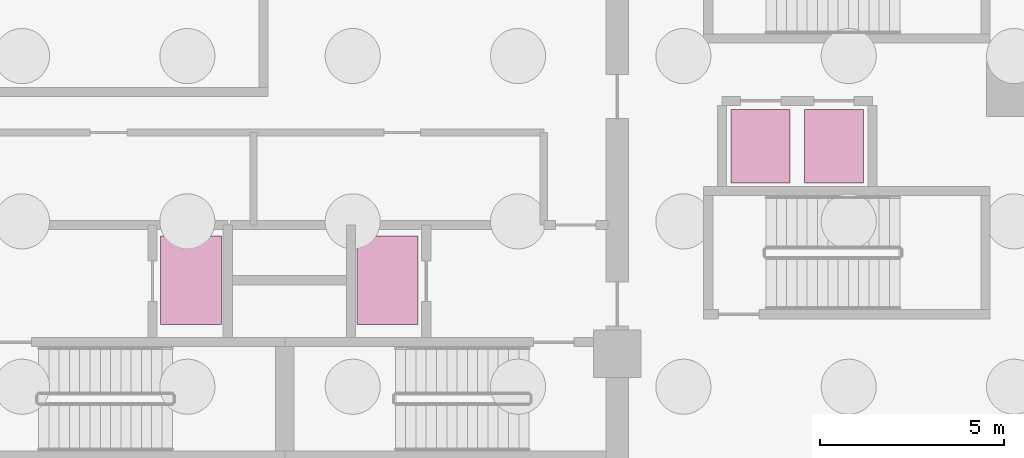
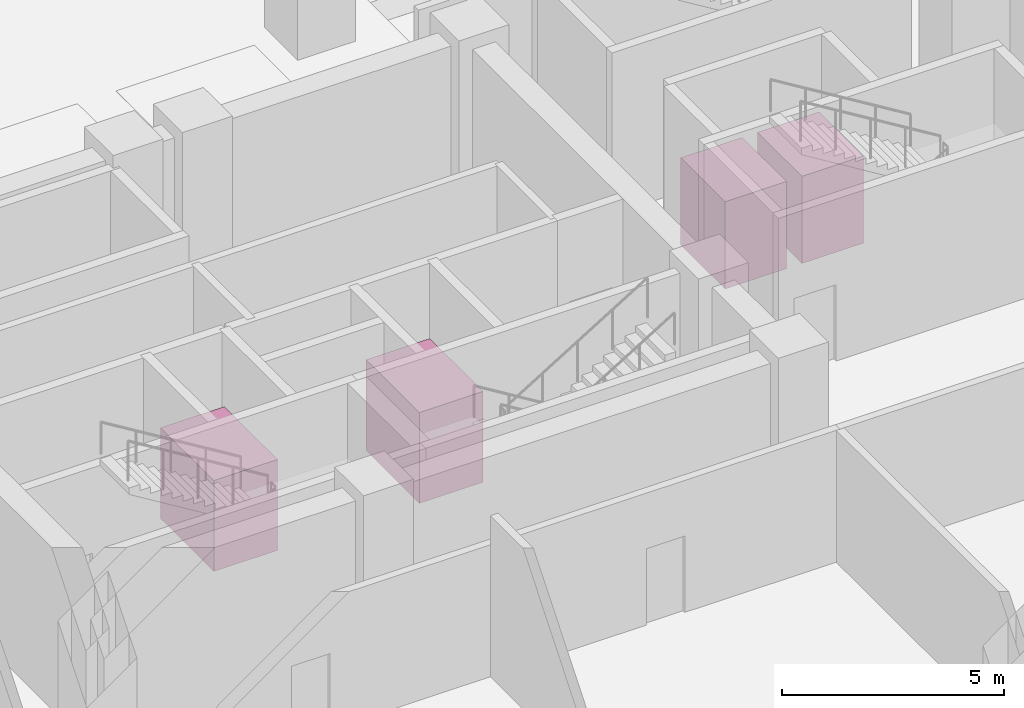
# One storey, part 9 of 9: 4 transport elements.
"""IFC4 building model written with IfcOpenShell, lengths in metres."""

from ifc_helpers import new_model, si_unit, direction, frame, origin, origin_2d, place, context, subcontext, project, spatial, rectangle, extrude, material, type_object, element, save


model = new_model("IFC4")

# Units and contexts
model_context = context("Model", 3, precision=1e-05, world=origin(), true_north=direction((0.0, 1.0)))
body_context = subcontext(model_context, "Body", "Model", "MODEL_VIEW")
ifc_project = project(units=[si_unit("LENGTHUNIT", "METRE"), si_unit("AREAUNIT", "SQUARE_METRE"), si_unit("VOLUMEUNIT", "CUBIC_METRE"), si_unit("PLANEANGLEUNIT", "RADIAN"), si_unit("MASSUNIT", "GRAM", prefix="KILO")], contexts=[model_context])

# Site, building, storey
site_placement = place(None, origin())
site = spatial("IfcSite", under=ifc_project, at=site_placement, CompositionType="ELEMENT")
building_placement = place(site_placement, origin())
building = spatial("IfcBuilding", under=site, at=building_placement, Name="Solnavia Interchange Tower", CompositionType="ELEMENT")
storey_placement = place(building_placement, frame((0.0, 0.0, -9.60009765625)))
storey = spatial("IfcBuildingStorey", under=building, at=storey_placement, Name="B02", CompositionType="ELEMENT", Elevation=-9.60009765625)

# Transport elements
ifc_material_1 = material(Name="Stainless Steel Fire-Rated Lift Car", Category="steel")
transport_element_type_1 = type_object("IfcTransportElementType", Name="Lift-FireStretcher-1800x2400", PredefinedType="ELEVATOR", material=ifc_material_1)
for number, where, z_axis, x_axis, name in (
    (1, (20.800048828125, 16.39990234375, 0.0), (0.0, 0.0, 1.0), (1.0, 0.0, 0.0), "FFL-1 Firefighting & stretcher lift 1"),
    (2, (26.14990234375, 16.39990234375, 0.0), (0.0, 0.0, 1.0), (1.0, 0.0, 0.0), "FFL-2 Firefighting & stretcher lift 2"),
):
    element("IfcTransportElement", number, at=place(storey_placement, frame(where, z_axis=z_axis, x_axis=x_axis)), inside=storey, type_object=transport_element_type_1, Name=name, PredefinedType="ELEVATOR", context=body_context, shape_type="SweptSolid", body=[
        extrude(rectangle(XDim=1.659912109375, YDim=2.39990234375, at=origin_2d()), origin(), (0.0, 0.0, 1.0), 2.5),
    ])
ifc_material_2 = material(Name="Stainless Steel & Glass Lift Car", Category="steel")
transport_element_type_2 = type_object("IfcTransportElementType", Name="Lift-Podium-1600x2000", PredefinedType="ELEVATOR", material=ifc_material_2)
for number, where, z_axis, x_axis, name in (
    (3, (36.300048828125, 20.050048828125, 0.000244140625), (0.0, 0.0, 1.0), (1.0, 0.0, 0.0), "LFT-13 Podium interchange accessible lift 1"),
    (4, (38.300048828125, 20.050048828125, 0.000244140625), (0.0, 0.0, 1.0), (1.0, 0.0, 0.0), "LFT-14 Podium interchange accessible lift 2"),
):
    element("IfcTransportElement", number, at=place(storey_placement, frame(where, z_axis=z_axis, x_axis=x_axis)), inside=storey, type_object=transport_element_type_2, Name=name, PredefinedType="ELEVATOR", context=body_context, shape_type="SweptSolid", body=[
        extrude(rectangle(XDim=1.60009765625, YDim=2.0, at=origin_2d()), origin(), (0.0, 0.0, 1.0), 2.39990234375),
    ])

save(model, "model.ifc")
